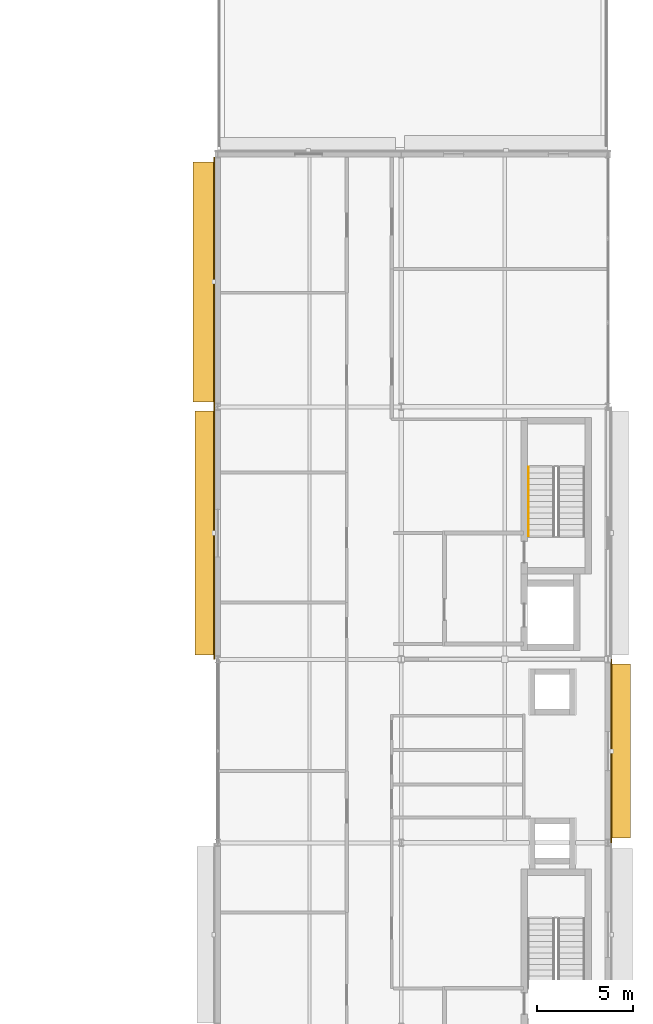
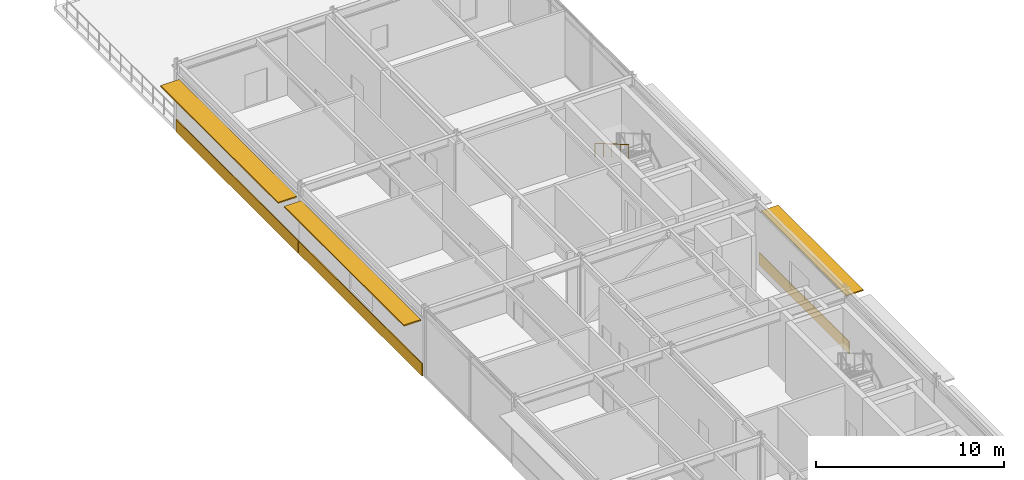
# One storey, part 20 of 22: 3 coverings, 3 shading devices, 1 railing.
"""IFC4 building model written with IfcOpenShell, lengths in metres."""

from ifc_helpers import new_model, si_unit, direction, frame, origin, origin_2d, place, context, subcontext, project, spatial, rectangle, circle, extrude, material, layer, layer_set, type_object, element, save


model = new_model("IFC4")

# Units and contexts
model_context = context("Model", 3, precision=1e-05, world=origin(), true_north=direction((0.0, 1.0)))
body_context = subcontext(model_context, "Body", "Model", "MODEL_VIEW")
ifc_project = project(units=[si_unit("LENGTHUNIT", "METRE"), si_unit("AREAUNIT", "SQUARE_METRE"), si_unit("VOLUMEUNIT", "CUBIC_METRE"), si_unit("PLANEANGLEUNIT", "RADIAN"), si_unit("MASSUNIT", "GRAM", prefix="KILO")], contexts=[model_context])

# Site, building, storey
site_placement = place(None, origin())
site = spatial("IfcSite", under=ifc_project, at=site_placement, CompositionType="ELEMENT")
building_placement = place(site_placement, origin())
building = spatial("IfcBuilding", under=site, at=building_placement, Name="Almandine Court Research Institute", CompositionType="ELEMENT")
storey_placement = place(building_placement, frame((0.0, 0.0, 28.0)))
storey = spatial("IfcBuildingStorey", under=building, at=storey_placement, Name="L06", CompositionType="ELEMENT", Elevation=28.0)

# Coverings
ifc_material_1 = material(Name="Extruded Cream-Ochre Seismic Terracotta Spandrel", Category="masonry")
ifc_layer_1 = layer(ifc_material_1, 0.054931640625)
ifc_layer_set_1 = layer_set([ifc_layer_1], Name="Extruded Cream-Ochre Seismic Terracotta Spandrel")
covering_type = type_object("IfcCoveringType", Name="Cov-CLAD-TERR", PredefinedType="CLADDING", material=ifc_layer_set_1)
covering_1_placement = place(storey_placement, frame((153.428955078125, 51.0, 0.02001953125), z_axis=(0.0, 0.0, 1.0), x_axis=(0.0, 1.0, 0.0)))
element("IfcCovering", 1, at=covering_1_placement, inside=storey, type_object=covering_type, Name="L06 Facade Spandrel Cladding Band 203", PredefinedType="CLADDING", context=body_context, shape_type="SweptSolid", body=[
    extrude(rectangle(XDim=13.19189453125, YDim=0.054931640625, at=origin_2d()), origin(), (0.0, 0.0, 1.0), 0.800048828125),
])
covering_2_placement = place(storey_placement, frame((153.428955078125, 64.126953125, 0.02001953125), z_axis=(0.0, 0.0, 1.0), x_axis=(0.0, 1.0, 0.0)))
element("IfcCovering", 2, at=covering_2_placement, inside=storey, type_object=covering_type, Name="L06 Facade Spandrel Cladding Band 204", PredefinedType="CLADDING", context=body_context, shape_type="SweptSolid", body=[
    extrude(rectangle(XDim=13.047119140625, YDim=0.054931640625, at=origin_2d()), origin(), (0.0, 0.0, 1.0), 0.800048828125),
])
covering_3_placement = place(storey_placement, frame((174.1708984375, 39.60009765625, 0.02001953125), z_axis=(0.0, 0.0, 1.0), x_axis=(0.0, -1.0, 0.0)))
element("IfcCovering", 3, at=covering_3_placement, inside=storey, type_object=covering_type, Name="L06 Facade Spandrel Cladding Band 208", PredefinedType="CLADDING", context=body_context, shape_type="SweptSolid", body=[
    extrude(rectangle(XDim=9.592041015625, YDim=0.054931640625, at=origin_2d()), origin(), (0.0, 0.0, 1.0), 0.800048828125),
])

# Railing
ifc_material_2 = material(Name="Brushed Stainless Steel Wall Handrail", Category="steel")
railing_type = type_object("IfcRailingType", Name="Rail-HAND-INT", PredefinedType="HANDRAIL", material=ifc_material_2)
railing_placement = place(storey_placement, frame((169.85009765625, 54.449951171875, 2.449951171875)))
element("IfcRailing", 4, at=railing_placement, inside=storey, type_object=railing_type, Name="L06 ST-08 stair handrail 2", PredefinedType="HANDRAIL", context=body_context, shape_type="SweptSolid", body=[
    extrude(circle(Radius=0.02392578125, at=origin_2d()), frame((0.0, 0.0, 0.8759765625), z_axis=(0.0, -0.863759778359, 0.503903805591), x_axis=(1.0, 0.0, 0.0)), (0.0, 0.0, 1.0), 4.167724609375),
    extrude(circle(Radius=0.02099609375, at=origin_2d()), origin(), (0.0, 0.0, 1.0), 0.851806640625),
    extrude(circle(Radius=0.02099609375, at=origin_2d()), frame((0.0, -0.89990234375, 0.52490234375)), (0.0, 0.0, 1.0), 0.851806640625),
    extrude(circle(Radius=0.02099609375, at=origin_2d()), frame((0.0, -1.7998046875, 1.050048828125)), (0.0, 0.0, 1.0), 0.851806640625),
    extrude(circle(Radius=0.02099609375, at=origin_2d()), frame((0.0, -2.699951171875, 1.5751953125)), (0.0, 0.0, 1.0), 0.851806640625),
    extrude(circle(Radius=0.02099609375, at=origin_2d()), frame((0.0, -3.599853515625, 2.10009765625)), (0.0, 0.0, 1.0), 0.851806640625),
])

# Shading devices
ifc_material_3 = material(Name="Precast GFRC Chhajja Sunshade and Acoustic Louvre", Category="concrete")
ifc_layer_2 = layer(ifc_material_3, 0.080078125)
ifc_layer_set_2 = layer_set([ifc_layer_2], Name="Precast GFRC Chhajja Sunshade and Acoustic Louvre")
shading_device_type_1 = type_object("IfcShadingDeviceType", Name="Shd-SD-06", PredefinedType="AWNING", material=ifc_layer_set_2)
shading_device_1_placement = place(storey_placement, frame((174.659912109375, 39.60009765625, 3.618896484375), z_axis=(0.0, 0.0, 1.0), x_axis=(0.0, -1.0, 0.0)))
element("IfcShadingDevice", 5, at=shading_device_1_placement, inside=storey, type_object=shading_device_type_1, Name="L06 Projecting Chhajja Sunshade 146", PredefinedType="AWNING", context=body_context, shape_type="SweptSolid", body=[
    extrude(rectangle(XDim=9.08203125, YDim=1.050048828125, at=origin_2d()), origin(), (0.0, 0.0, 1.0), 0.080078125),
])
ifc_layer_3 = layer(ifc_material_3, 0.080078125)
ifc_layer_set_3 = layer_set([ifc_layer_3], Name="Precast GFRC Chhajja Sunshade and Acoustic Louvre")
shading_device_type_2 = type_object("IfcShadingDeviceType", Name="Shd-SD-73", PredefinedType="AWNING", material=ifc_layer_set_3)
shading_device_2_placement = place(storey_placement, frame((152.93994140625, 51.0, 3.47705078125), z_axis=(0.0, 0.0, 1.0), x_axis=(0.0, 1.0, 0.0)))
element("IfcShadingDevice", 6, at=shading_device_2_placement, inside=storey, type_object=shading_device_type_2, Name="L06 Projecting Chhajja Sunshade 141", PredefinedType="AWNING", context=body_context, shape_type="SweptSolid", body=[
    extrude(rectangle(XDim=12.761962890625, YDim=1.050048828125, at=origin_2d()), origin(), (0.0, 0.0, 1.0), 0.080078125),
])
ifc_layer_4 = layer(ifc_material_3, 0.080078125)
ifc_layer_set_4 = layer_set([ifc_layer_4], Name="Precast GFRC Chhajja Sunshade and Acoustic Louvre")
shading_device_type_3 = type_object("IfcShadingDeviceType", Name="Shd-SD-74", PredefinedType="AWNING", material=ifc_layer_set_4)
shading_device_3_placement = place(storey_placement, frame((152.889892578125, 64.126953125, 3.47705078125), z_axis=(0.0, 0.0, 1.0), x_axis=(0.0, 1.0, 0.0)))
element("IfcShadingDevice", 7, at=shading_device_3_placement, inside=storey, type_object=shading_device_type_3, Name="L06 Projecting Chhajja Sunshade 142", PredefinedType="AWNING", context=body_context, shape_type="SweptSolid", body=[
    extrude(rectangle(XDim=12.537109375, YDim=1.14990234375, at=origin_2d()), origin(), (0.0, 0.0, 1.0), 0.080078125),
])

save(model, "model.ifc")
